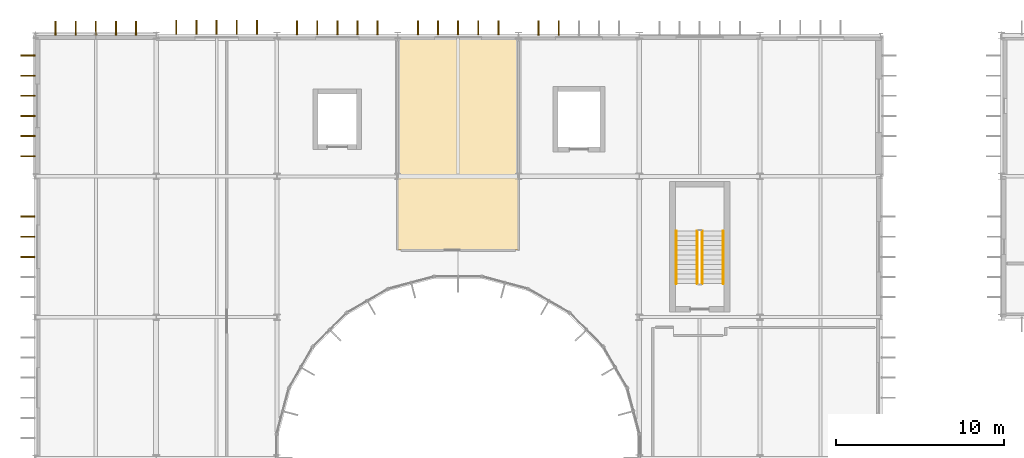
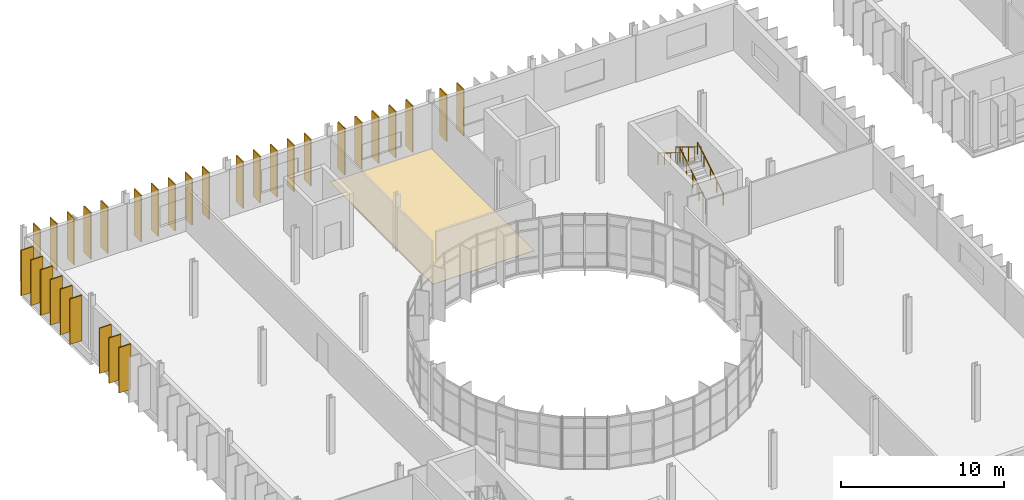
# One storey, part 112 of 119: 31 shading devices, 4 railings, 1 covering.
"""IFC4 building model written with IfcOpenShell, lengths in metres."""

import ifcopenshell
import ifcopenshell.guid

model = None  # the IFC model being written
_history = None  # IfcOwnerHistory: only IFC2X3 demands one
_inside = {}  # id of a spatial element -> (the spatial element, [elements in it])
_under = {}  # id of a project, library or spatial element -> (it, [spatial elements below it])
_declared = {}  # id of a project -> (the project, [libraries it declares])
_typed = {}  # id of a type object -> (the type object, [elements of that type])
_made_of = {}  # id of a material, layer set ... -> (it, [elements and type objects made of it])


def new_model(schema):
    """Start an empty IFC model of exactly this schema.

    Asked for "IFC4X3", IfcOpenShell would pick the latest addendum, in which some entities
    have other attributes; the version numbers below select the first issue.
    IFC2X3 requires an IfcOwnerHistory on every rooted entity: one is made here for all.
    """
    global model, _history
    if schema == "IFC4X3":
        model = ifcopenshell.file(schema_version=(4, 3, 0, 0))
    else:
        model = ifcopenshell.file(schema=schema)
    _inside.clear()
    _under.clear()
    _declared.clear()
    _typed.clear()
    _made_of.clear()
    _history = None
    if model.schema == "IFC2X3":
        org = make("IfcOrganization", Name="unknown")
        user = make(
            "IfcPersonAndOrganization",
            ThePerson=make("IfcPerson", FamilyName="unknown"),
            TheOrganization=org,
        )
        app = make(
            "IfcApplication",
            ApplicationDeveloper=org,
            Version="unknown",
            ApplicationFullName="unknown",
            ApplicationIdentifier="unknown",
        )
        _history = make(
            "IfcOwnerHistory",
            OwningUser=user,
            OwningApplication=app,
            ChangeAction="ADDED",
            CreationDate=0,
        )
    return model


def make(cls, **values):
    """One entity of the class cls with the attributes given. An attribute that is None is left unset."""
    return model.create_entity(
        cls, **{name: value for name, value in values.items() if value is not None}
    )


def rooted(cls, **values):
    """An entity with a GlobalId (a new one), such as an element, a storey or a relation."""
    return make(cls, GlobalId=ifcopenshell.guid.new(), OwnerHistory=_history, **values)


def si_unit(unit_type, name, prefix=None):
    """IfcSIUnit, for example si_unit("LENGTHUNIT", "METRE", prefix="MILLI")."""
    return make("IfcSIUnit", UnitType=unit_type, Prefix=prefix, Name=name)


def assignment(units):
    """IfcUnitAssignment: the units of a project."""
    return None if units is None else make("IfcUnitAssignment", Units=units)


def point(xyz):
    """IfcCartesianPoint."""
    return None if xyz is None else make("IfcCartesianPoint", Coordinates=xyz)


def direction(xyz):
    """IfcDirection."""
    return None if xyz is None else make("IfcDirection", DirectionRatios=xyz)


def frame(location, z_axis=None, x_axis=None):
    """IfcAxis2Placement3D, a coordinate frame: its origin and axes. An axis left out is left unset."""
    return make(
        "IfcAxis2Placement3D",
        Location=point(location),
        Axis=direction(z_axis),
        RefDirection=direction(x_axis),
    )


def frame_2d(location, x_axis=None):
    """IfcAxis2Placement2D, a coordinate frame in the plane: its origin and x axis."""
    return make(
        "IfcAxis2Placement2D", Location=point(location), RefDirection=direction(x_axis)
    )


def origin():
    """The frame at (0, 0, 0) with its axes left unset."""
    return frame((0.0, 0.0, 0.0))


def origin_2d():
    """The frame at (0, 0) in the plane with its x axis left unset."""
    return frame_2d((0.0, 0.0))


def place(relative_to, where):
    """IfcLocalPlacement: puts the frame where relative to a parent placement (None: the world)."""
    return make(
        "IfcLocalPlacement", PlacementRelTo=relative_to, RelativePlacement=where
    )


def context(
    kind, dimensions, precision=None, world=None, true_north=None, identifier=None
):
    """IfcGeometricRepresentationContext, for example the 3D "Model" context."""
    return make(
        "IfcGeometricRepresentationContext",
        ContextIdentifier=identifier,
        ContextType=kind,
        CoordinateSpaceDimension=dimensions,
        Precision=precision,
        WorldCoordinateSystem=world,
        TrueNorth=true_north,
    )


def subcontext(parent, identifier, kind, view, scale=None):
    """IfcGeometricRepresentationSubContext, for example "Body" below "Model"."""
    return make(
        "IfcGeometricRepresentationSubContext",
        ContextIdentifier=identifier,
        ContextType=kind,
        ParentContext=parent,
        TargetScale=scale,
        TargetView=view,
    )


def project(units=None, contexts=None):
    """IfcProject with its units and contexts."""
    return rooted(
        "IfcProject",
        Name="project",
        RepresentationContexts=contexts,
        UnitsInContext=assignment(units),
    )


def spatial(cls, under=None, at=None, **own):
    """A site, building, storey or space (cls), placed at a placement, below another one or the project."""
    s = rooted(cls, ObjectPlacement=at, **own)
    if under is not None:
        _under.setdefault(under.id(), (under, []))[1].append(s)
    return s


def polyline(points):
    """IfcPolyline through the points."""
    return make("IfcPolyline", Points=[point(p) for p in points])


def profile(cls, at=None, kind="AREA", **sizes):
    """A parametric profile (cls). Its sizes go by their IFC names, for example OverallWidth=200.0."""
    return make(cls, ProfileType=kind, Position=at, **sizes)


def rectangle(**sizes):
    """IfcRectangleProfileDef."""
    return profile("IfcRectangleProfileDef", **sizes)


def circle(**sizes):
    """IfcCircleProfileDef."""
    return profile("IfcCircleProfileDef", **sizes)


def outline(outer, holes=None, kind="AREA"):
    """IfcArbitraryClosedProfileDef: a profile drawn as a closed curve; with holes, ...WithVoids."""
    if holes is None:
        return make("IfcArbitraryClosedProfileDef", ProfileType=kind, OuterCurve=outer)
    return make(
        "IfcArbitraryProfileDefWithVoids",
        ProfileType=kind,
        OuterCurve=outer,
        InnerCurves=holes,
    )


def extrude(swept, where, along, depth):
    """IfcExtrudedAreaSolid: the profile swept, set in the frame where, extruded along a direction by depth."""
    return make(
        "IfcExtrudedAreaSolid",
        SweptArea=swept,
        Position=where,
        ExtrudedDirection=direction(along),
        Depth=depth,
    )


def shape(context_of_items, identifier, shape_type, items):
    """IfcShapeRepresentation: the items that make up one representation, for example the "Body"."""
    return make(
        "IfcShapeRepresentation",
        ContextOfItems=context_of_items,
        RepresentationIdentifier=identifier,
        RepresentationType=shape_type,
        Items=items,
    )


def material(Name=None, Category=None):
    """IfcMaterial."""
    return make("IfcMaterial", Name=Name, Category=Category)


def layer(
    of_material, thickness, ventilated=None, Name=None, Category=None, Priority=None
):
    """IfcMaterialLayer: one layer of a wall or slab, of a material (None: an air gap)."""
    return make(
        "IfcMaterialLayer",
        Material=of_material,
        LayerThickness=thickness,
        IsVentilated=ventilated,
        Name=Name,
        Category=Category,
        Priority=Priority,
    )


def layer_set(layers, Name=None):
    """IfcMaterialLayerSet."""
    return make("IfcMaterialLayerSet", MaterialLayers=layers, LayerSetName=Name)


def made_of(thing, what):
    """Note that an element or type object is made of a material, layer set ...; save() writes the relation."""
    if what is not None:
        _made_of.setdefault(what.id(), (what, []))[1].append(thing)
    return thing


def type_object(cls, material=None, **own):
    """A type object (cls), such as IfcWallType, which elements share."""
    return made_of(rooted(cls, **own), material)


def element(
    cls,
    number,
    at=None,
    inside=None,
    cuts=None,
    type_object=None,
    material=None,
    context=None,
    identifier="Body",
    shape_type=None,
    held_by="IfcProductDefinitionShape",
    body=None,
    shapes=None,
    **own,
):
    """One element of the class cls, such as IfcWall. Its Tag is "e" and its number.

    at: its placement. inside: the storey or other place that contains it. cuts: it is an
    opening in that element (IfcRelVoidsElement). A single representation is given by context,
    identifier, shape_type and body (its items); several are given by shapes. held_by: the class
    of the entity that holds the representations. save() writes the other relations.
    """
    e = rooted(cls, Tag="e%d" % number, ObjectPlacement=at, **own)
    if body is not None:
        shapes = [shape(context, identifier, shape_type, body)]
    if shapes is not None:
        e.Representation = make(held_by, Representations=shapes)
    if inside is not None:
        _inside.setdefault(inside.id(), (inside, []))[1].append(e)
    if cuts is not None:
        rooted(
            "IfcRelVoidsElement", RelatingBuildingElement=cuts, RelatedOpeningElement=e
        )
    if type_object is not None:
        _typed.setdefault(type_object.id(), (type_object, []))[1].append(e)
    return made_of(e, material)


def aggregate(whole, parts):
    """IfcRelAggregates: a whole, such as a stair, and the parts it consists of."""
    return rooted("IfcRelAggregates", RelatingObject=whole, RelatedObjects=parts)


def save(model, path):
    """Write the relations noted so far, then the file.

    IfcRelAggregates (storeys below a building ...), IfcRelContainedInSpatialStructure (elements
    in a storey), IfcRelDefinesByType, IfcRelAssociatesMaterial and IfcRelDeclares: one each for
    every whole, place, type object, material and project.
    """
    for whole, parts in _under.values():
        aggregate(whole, parts)
    for where, things in _inside.values():
        rooted(
            "IfcRelContainedInSpatialStructure",
            RelatedElements=things,
            RelatingStructure=where,
        )
    for kind, things in _typed.values():
        rooted("IfcRelDefinesByType", RelatedObjects=things, RelatingType=kind)
    for what, things in _made_of.values():
        rooted("IfcRelAssociatesMaterial", RelatedObjects=things, RelatingMaterial=what)
    for by, libraries in _declared.values():
        rooted("IfcRelDeclares", RelatingContext=by, RelatedDefinitions=libraries)
    model.write(path)


model = new_model("IFC4")

# Units and contexts
model_context = context("Model", 3, precision=1e-05, world=origin(), true_north=direction((0.0, 1.0)))
body_context = subcontext(model_context, "Body", "Model", "MODEL_VIEW")
ifc_project = project(units=[si_unit("LENGTHUNIT", "METRE"), si_unit("AREAUNIT", "SQUARE_METRE"), si_unit("VOLUMEUNIT", "CUBIC_METRE"), si_unit("PLANEANGLEUNIT", "RADIAN"), si_unit("MASSUNIT", "GRAM", prefix="KILO")], contexts=[model_context])

# Site, building, storey
site_placement = place(None, origin())
site = spatial("IfcSite", under=ifc_project, at=site_placement, CompositionType="ELEMENT")
building_placement = place(site_placement, origin())
building = spatial("IfcBuilding", under=site, at=building_placement, Name="Qelthora Terrace Specialist Clinic", CompositionType="ELEMENT")
storey_placement = place(building_placement, frame((0.0, 0.0, 4.800048828125)))
storey = spatial("IfcBuildingStorey", under=building, at=storey_placement, Name="L01", CompositionType="ELEMENT", Elevation=4.800048828125)

# Covering
ifc_material_1 = material(Name="Antimicrobial clinical linoleum flooring", Category="other")
ifc_layer = layer(ifc_material_1, 0.011962890625)
ifc_layer_set = layer_set([ifc_layer], Name="Antimicrobial clinical linoleum flooring")
covering_type = type_object("IfcCoveringType", Name="COV-FLR-LINO-12", PredefinedType="FLOORING", material=ifc_layer_set)
covering_placement = place(storey_placement, origin())
element("IfcCovering", 1, at=covering_placement, inside=storey, type_object=covering_type, Name="PACU Phase-1 Recovery Bay L01-53 resilient linoleum flooring", PredefinedType="FLOORING", context=body_context, shape_type="SweptSolid", body=[
    extrude(outline(polyline([(21.60009765625, 96.39990234375), (21.60009765625, 109.050048828125), (28.800048828125, 109.050048828125), (28.800048828125, 96.39990234375), (21.60009765625, 96.39990234375)])), origin(), (0.0, 0.0, 1.0), 0.011962890625),
])

# Railings
ifc_material_2 = material(Name="Steel S355", Category="steel")
railing_type_1 = type_object("IfcRailingType", Name="RAL-GD-1100-S355", PredefinedType="GUARDRAIL", material=ifc_material_2)
railing_1_placement = place(storey_placement, frame((39.75, 94.39990234375, 0.175048828125)))
element("IfcRailing", 2, at=railing_1_placement, inside=storey, type_object=railing_type_1, Name="L01 ST-02 stair guard 1", PredefinedType="GUARDRAIL", context=body_context, shape_type="SweptSolid", body=[
    extrude(circle(Radius=0.02392578125, at=origin_2d()), frame((0.0, 0.0, 1.076171875), z_axis=(0.0, 0.852195625947, 0.523223293744), x_axis=(-1.0, 0.0, 0.0)), (0.0, 0.0, 1.0), 3.6787109375),
    extrude(circle(Radius=0.02099609375, at=origin_2d()), origin(), (0.0, 0.0, 1.0), 1.052001953125),
    extrude(circle(Radius=0.02099609375, at=origin_2d()), frame((0.0, 0.78369140625, 0.481201171875)), (0.0, 0.0, 1.0), 1.052001953125),
    extrude(circle(Radius=0.02099609375, at=origin_2d()), frame((0.0, 1.5673828125, 0.96240234375)), (0.0, 0.0, 1.0), 1.052001953125),
    extrude(circle(Radius=0.02099609375, at=origin_2d()), frame((0.0, 2.351318359375, 1.443603515625)), (0.0, 0.0, 1.0), 1.052001953125),
    extrude(circle(Radius=0.02099609375, at=origin_2d()), frame((0.0, 3.135009765625, 1.9248046875)), (0.0, 0.0, 1.0), 1.052001953125),
])
railing_2_placement = place(storey_placement, frame((39.449951171875, 97.534912109375, 2.27490234375)))
element("IfcRailing", 3, at=railing_2_placement, inside=storey, type_object=railing_type_1, Name="L01 ST-02 stair guard 3", PredefinedType="GUARDRAIL", context=body_context, shape_type="SweptSolid", body=[
    extrude(circle(Radius=0.02392578125, at=origin_2d()), frame((0.0, 0.0, 1.076171875), z_axis=(0.0, -0.852166034122, 0.523271488128), x_axis=(1.0, 0.0, 0.0)), (0.0, 0.0, 1.0), 3.678955078125),
    extrude(circle(Radius=0.02099609375, at=origin_2d()), origin(), (0.0, 0.0, 1.0), 1.052001953125),
    extrude(circle(Radius=0.02099609375, at=origin_2d()), frame((0.0, -0.78369140625, 0.481201171875)), (0.0, 0.0, 1.0), 1.052001953125),
    extrude(circle(Radius=0.02099609375, at=origin_2d()), frame((0.0, -1.5673828125, 0.96240234375)), (0.0, 0.0, 1.0), 1.052001953125),
    extrude(circle(Radius=0.02099609375, at=origin_2d()), frame((0.0, -2.351318359375, 1.44384765625)), (0.0, 0.0, 1.0), 1.052001953125),
    extrude(circle(Radius=0.02099609375, at=origin_2d()), frame((0.0, -3.135009765625, 1.925048828125)), (0.0, 0.0, 1.0), 1.052001953125),
])
railing_type_2 = type_object("IfcRailingType", Name="RAL-HR-900-S355", PredefinedType="HANDRAIL", material=ifc_material_2)
railing_3_placement = place(storey_placement, frame((41.0, 94.39990234375, 0.367919921875)))
element("IfcRailing", 4, at=railing_3_placement, inside=storey, type_object=railing_type_2, Name="L01 ST-02 stair handrail 1", PredefinedType="HANDRAIL", context=body_context, shape_type="SweptSolid", body=[
    extrude(circle(Radius=0.02392578125, at=origin_2d()), frame((0.0, 0.0, 0.8759765625), z_axis=(0.0, 0.852166034122, 0.523271488128), x_axis=(-1.0, 0.0, 0.0)), (0.0, 0.0, 1.0), 3.678955078125),
    extrude(circle(Radius=0.02099609375, at=origin_2d()), origin(), (0.0, 0.0, 1.0), 0.851806640625),
    extrude(circle(Radius=0.02099609375, at=origin_2d()), frame((0.0, 0.78369140625, 0.481201171875)), (0.0, 0.0, 1.0), 0.851806640625),
    extrude(circle(Radius=0.02099609375, at=origin_2d()), frame((0.0, 1.5673828125, 0.96240234375)), (0.0, 0.0, 1.0), 0.851806640625),
    extrude(circle(Radius=0.02099609375, at=origin_2d()), frame((0.0, 2.351318359375, 1.44384765625)), (0.0, 0.0, 1.0), 0.851806640625),
    extrude(circle(Radius=0.02099609375, at=origin_2d()), frame((0.0, 3.135009765625, 1.925048828125)), (0.0, 0.0, 1.0), 0.851806640625),
])
railing_4_placement = place(storey_placement, frame((38.199951171875, 97.534912109375, 2.468017578125)))
element("IfcRailing", 5, at=railing_4_placement, inside=storey, type_object=railing_type_2, Name="L01 ST-02 stair handrail 2", PredefinedType="HANDRAIL", context=body_context, shape_type="SweptSolid", body=[
    extrude(circle(Radius=0.02392578125, at=origin_2d()), frame((0.0, 0.0, 0.8759765625), z_axis=(0.0, -0.852166034122, 0.523271488128), x_axis=(1.0, 0.0, 0.0)), (0.0, 0.0, 1.0), 3.678955078125),
    extrude(circle(Radius=0.02099609375, at=origin_2d()), origin(), (0.0, 0.0, 1.0), 0.851806640625),
    extrude(circle(Radius=0.02099609375, at=origin_2d()), frame((0.0, -0.78369140625, 0.481201171875)), (0.0, 0.0, 1.0), 0.851806640625),
    extrude(circle(Radius=0.02099609375, at=origin_2d()), frame((0.0, -1.5673828125, 0.96240234375)), (0.0, 0.0, 1.0), 0.851806640625),
    extrude(circle(Radius=0.02099609375, at=origin_2d()), frame((0.0, -2.351318359375, 1.44384765625)), (0.0, 0.0, 1.0), 0.851806640625),
    extrude(circle(Radius=0.02099609375, at=origin_2d()), frame((0.0, -3.135009765625, 1.925048828125)), (0.0, 0.0, 1.0), 0.851806640625),
])

# Shading devices
ifc_material_3 = material(Name="Glulam timber GL28h", Category="wood")
shading_device_type = type_object("IfcShadingDeviceType", Name="SHD-FIN-850", PredefinedType="USERDEFINED", material=ifc_material_3)
for number, where, z_axis, x_axis, name in (
    (6, (-0.455078125, 96.0, 0.0), (0.0, 0.0, 1.0), (-1.0, 0.0, 0.0), "Exterior solar shading fin FIN-0694"),
    (7, (-0.455078125, 97.199951171875, 0.0), (0.0, 0.0, 1.0), (-1.0, 0.0, 0.0), "Exterior solar shading fin FIN-0695"),
    (8, (-0.455078125, 98.39990234375, 0.0), (0.0, 0.0, 1.0), (-1.0, 0.0, 0.0), "Exterior solar shading fin FIN-0696"),
):
    element("IfcShadingDevice", number, at=place(storey_placement, frame(where, z_axis=z_axis, x_axis=x_axis)), inside=storey, type_object=shading_device_type, Name=name, ObjectType="FIN", PredefinedType="USERDEFINED", context=body_context, shape_type="SweptSolid", body=[
        extrude(rectangle(XDim=0.85009765625, YDim=0.080078125, at=origin_2d()), origin(), (0.0, 0.0, 1.0), 3.39794921875),
    ])
for number, where, z_axis, x_axis, name in (
    (9, (-0.445068359375, 102.0, 0.0), (0.0, 0.0, 1.0), (-1.0, 0.0, 0.0), "Exterior solar shading fin FIN-0697"),
    (10, (-0.445068359375, 103.199951171875, 0.0), (0.0, 0.0, 1.0), (-1.0, 0.0, 0.0), "Exterior solar shading fin FIN-0698"),
    (11, (-0.445068359375, 104.39990234375, 0.0), (0.0, 0.0, 1.0), (-1.0, 0.0, 0.0), "Exterior solar shading fin FIN-0699"),
    (12, (-0.445068359375, 105.60009765625, 0.0), (0.0, 0.0, 1.0), (-1.0, 0.0, 0.0), "Exterior solar shading fin FIN-0700"),
    (13, (-0.445068359375, 106.800048828125, 0.0), (0.0, 0.0, 1.0), (-1.0, 0.0, 0.0), "Exterior solar shading fin FIN-0701"),
    (14, (-0.445068359375, 108.0, 0.0), (0.0, 0.0, 1.0), (-1.0, 0.0, 0.0), "Exterior solar shading fin FIN-0702"),
):
    element("IfcShadingDevice", number, at=place(storey_placement, frame(where, z_axis=z_axis, x_axis=x_axis)), inside=storey, type_object=shading_device_type, Name=name, ObjectType="FIN", PredefinedType="USERDEFINED", context=body_context, shape_type="SweptSolid", body=[
        extrude(rectangle(XDim=0.85009765625, YDim=0.080078125, at=origin_2d()), origin(), (0.0, 0.0, 1.0), 3.405029296875),
    ])
for number, where, z_axis, x_axis, name in (
    (15, (1.199951171875, 109.635009765625, 0.0), (0.0, 0.0, 1.0), (0.0, 1.0, 0.0), "Exterior solar shading fin FIN-0703"),
    (16, (2.39990234375, 109.635009765625, 0.0), (0.0, 0.0, 1.0), (0.0, 1.0, 0.0), "Exterior solar shading fin FIN-0704"),
    (17, (3.60009765625, 109.635009765625, 0.0), (0.0, 0.0, 1.0), (0.0, 1.0, 0.0), "Exterior solar shading fin FIN-0705"),
    (18, (4.800048828125, 109.635009765625, 0.0), (0.0, 0.0, 1.0), (0.0, 1.0, 0.0), "Exterior solar shading fin FIN-0706"),
    (19, (6.0, 109.635009765625, 0.0), (0.0, 0.0, 1.0), (0.0, 1.0, 0.0), "Exterior solar shading fin FIN-0707"),
    (20, (8.39990234375, 109.695068359375, 0.0), (0.0, 0.0, 1.0), (0.0, 1.0, 0.0), "Exterior solar shading fin FIN-0708"),
    (21, (9.60009765625, 109.695068359375, 0.0), (0.0, 0.0, 1.0), (0.0, 1.0, 0.0), "Exterior solar shading fin FIN-0709"),
    (22, (10.800048828125, 109.695068359375, 0.0), (0.0, 0.0, 1.0), (0.0, 1.0, 0.0), "Exterior solar shading fin FIN-0710"),
    (23, (12.0, 109.695068359375, 0.0), (0.0, 0.0, 1.0), (0.0, 1.0, 0.0), "Exterior solar shading fin FIN-0711"),
    (24, (13.199951171875, 109.695068359375, 0.0), (0.0, 0.0, 1.0), (0.0, 1.0, 0.0), "Exterior solar shading fin FIN-0712"),
    (25, (15.60009765625, 109.6650390625, 0.0), (0.0, 0.0, 1.0), (0.0, 1.0, 0.0), "Exterior solar shading fin FIN-0713"),
    (26, (16.800048828125, 109.6650390625, 0.0), (0.0, 0.0, 1.0), (0.0, 1.0, 0.0), "Exterior solar shading fin FIN-0714"),
    (27, (18.0, 109.6650390625, 0.0), (0.0, 0.0, 1.0), (0.0, 1.0, 0.0), "Exterior solar shading fin FIN-0715"),
    (28, (19.199951171875, 109.6650390625, 0.0), (0.0, 0.0, 1.0), (0.0, 1.0, 0.0), "Exterior solar shading fin FIN-0716"),
    (29, (20.39990234375, 109.6650390625, 0.0), (0.0, 0.0, 1.0), (0.0, 1.0, 0.0), "Exterior solar shading fin FIN-0717"),
    (30, (22.800048828125, 109.655029296875, 0.0), (0.0, 0.0, 1.0), (0.0, 1.0, 0.0), "Exterior solar shading fin FIN-0718"),
    (31, (24.0, 109.655029296875, 0.0), (0.0, 0.0, 1.0), (0.0, 1.0, 0.0), "Exterior solar shading fin FIN-0719"),
    (32, (25.199951171875, 109.655029296875, 0.0), (0.0, 0.0, 1.0), (0.0, 1.0, 0.0), "Exterior solar shading fin FIN-0720"),
    (33, (26.39990234375, 109.655029296875, 0.0), (0.0, 0.0, 1.0), (0.0, 1.0, 0.0), "Exterior solar shading fin FIN-0721"),
    (34, (27.60009765625, 109.655029296875, 0.0), (0.0, 0.0, 1.0), (0.0, 1.0, 0.0), "Exterior solar shading fin FIN-0722"),
    (35, (30.0, 109.64501953125, 0.0), (0.0, 0.0, 1.0), (0.0, 1.0, 0.0), "Exterior solar shading fin FIN-0723"),
    (36, (31.199951171875, 109.64501953125, 0.0), (0.0, 0.0, 1.0), (0.0, 1.0, 0.0), "Exterior solar shading fin FIN-0724"),
):
    element("IfcShadingDevice", number, at=place(storey_placement, frame(where, z_axis=z_axis, x_axis=x_axis)), inside=storey, type_object=shading_device_type, Name=name, ObjectType="FIN", PredefinedType="USERDEFINED", context=body_context, shape_type="SweptSolid", body=[
        extrude(rectangle(XDim=0.85009765625, YDim=0.080078125, at=origin_2d()), origin(), (0.0, 0.0, 1.0), 3.48193359375),
    ])

save(model, "model.ifc")
